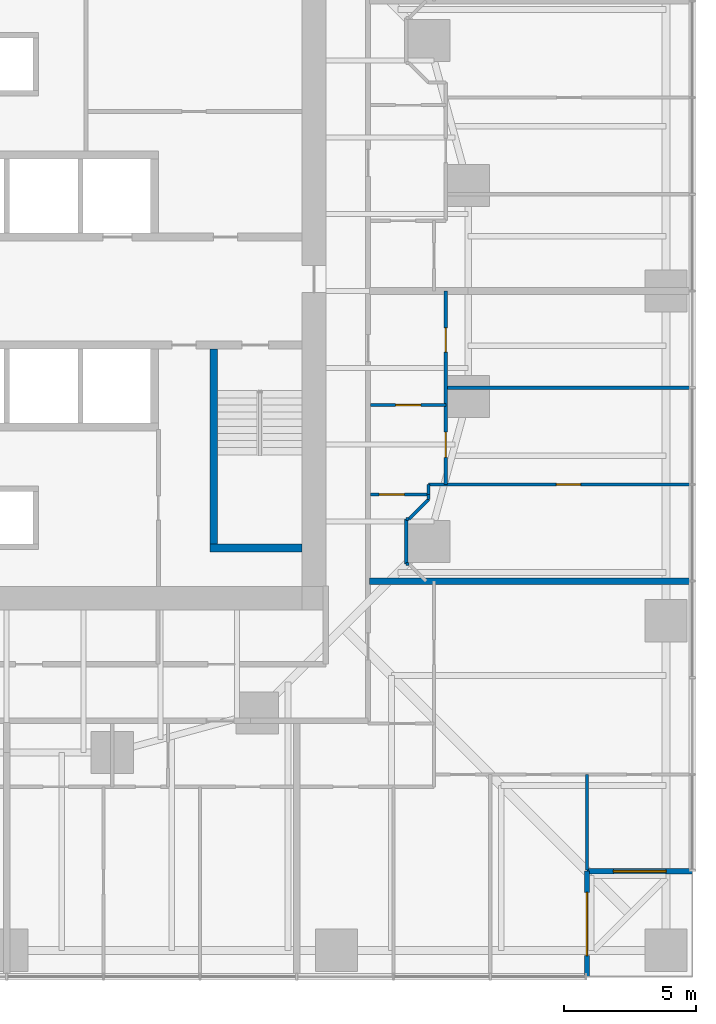
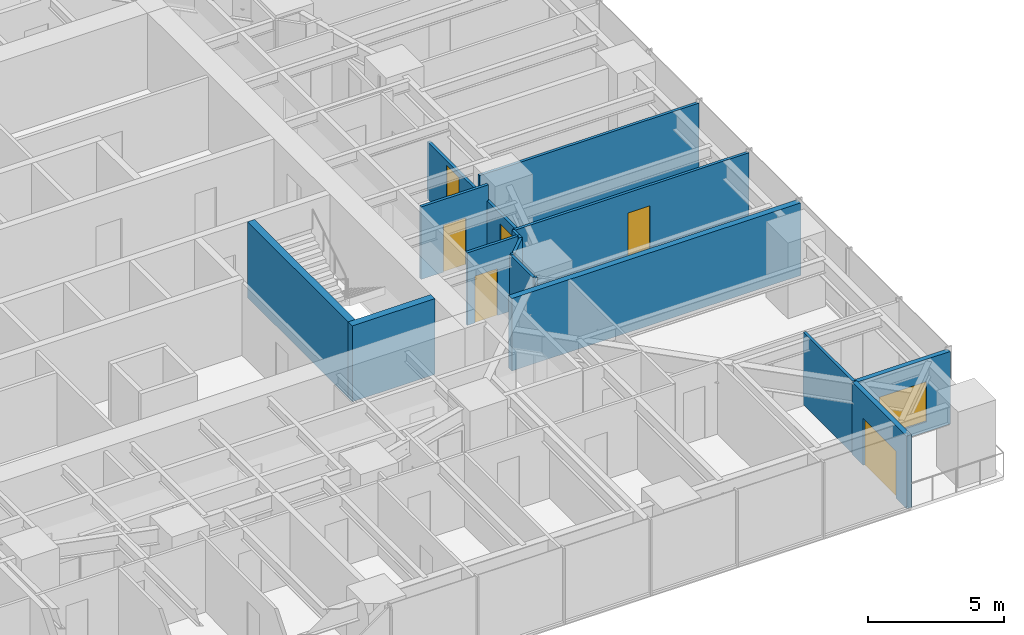
# One storey, part 12 of 18: 17 walls, 6 doors, 1 window, 7 openings.
"""IFC4 building model written with IfcOpenShell, lengths in metres."""

from ifc_helpers import new_model, si_unit, direction, frame, frame_2d, origin, place, context, subcontext, project, spatial, rectangle, extrude, material, layer, layer_set, type_object, element, fill, save


model = new_model("IFC4")

# Units and contexts
model_context = context("Model", 3, precision=1e-05, world=origin(), true_north=direction((0.0, 1.0)))
body_context = subcontext(model_context, "Body", "Model", "MODEL_VIEW")
ifc_project = project(units=[si_unit("LENGTHUNIT", "METRE"), si_unit("AREAUNIT", "SQUARE_METRE"), si_unit("VOLUMEUNIT", "CUBIC_METRE"), si_unit("PLANEANGLEUNIT", "RADIAN"), si_unit("MASSUNIT", "GRAM", prefix="KILO")], contexts=[model_context])

# Site, building, storey
site_placement = place(None, origin())
site = spatial("IfcSite", under=ifc_project, at=site_placement, CompositionType="ELEMENT")
building_placement = place(site_placement, origin())
building = spatial("IfcBuilding", under=site, at=building_placement, Name="Torsade Residences", CompositionType="ELEMENT")
storey_placement = place(building_placement, frame((0.0, 0.0, 28.60009765625)))
storey = spatial("IfcBuildingStorey", under=building, at=storey_placement, Name="L07", CompositionType="ELEMENT", Elevation=28.60009765625)

# Walls
ifc_material_1 = material(Name="Concrete 80 MPa", Category="concrete")
ifc_layer_1 = layer(ifc_material_1, 0.300048828125)
ifc_layer_set_1 = layer_set([ifc_layer_1], Name="Concrete 80 MPa")
wall_type_1 = type_object("IfcWallType", Name="CORE INTERNAL WALL 300", PredefinedType="SHEAR", material=ifc_layer_set_1)
wall_1_placement = place(storey_placement, frame((47.85009765625, 27.800048828125, 0.0), z_axis=(0.0, 0.0, 1.0), x_axis=(0.0, -1.0, 0.0)))
element("IfcWall", 1, at=wall_1_placement, inside=storey, type_object=wall_type_1, Name="Core wall ST2W L07", PredefinedType="SHEAR", context=body_context, shape_type="SweptSolid", body=[
    extrude(rectangle(XDim=7.699951171875, YDim=0.300048828125, at=frame_2d((3.85009765625, 0.0))), origin(), (0.0, 0.0, 1.0), 3.39990234375),
])
wall_2_placement = place(storey_placement, frame((51.199951171875, 20.25, 0.0), z_axis=(0.0, 0.0, 1.0), x_axis=(-1.0, 0.0, 0.0)))
element("IfcWall", 2, at=wall_2_placement, inside=storey, type_object=wall_type_1, Name="Core wall ST2S L07", PredefinedType="SHEAR", context=body_context, shape_type="SweptSolid", body=[
    extrude(rectangle(XDim=3.5, YDim=0.300048828125, at=frame_2d((1.75, 0.0))), origin(), (0.0, 0.0, 1.0), 3.39990234375),
])
ifc_material_2 = material(Name="Plasterboard on steel stud", Category="steel")
ifc_layer_2 = layer(ifc_material_2, 0.1201171875)
ifc_layer_set_2 = layer_set([ifc_layer_2], Name="Plasterboard on steel stud")
wall_type_2 = type_object("IfcWallType", Name="PARTITION 120", PredefinedType="PARTITIONING", material=ifc_layer_set_2)
wall_3_placement = place(storey_placement, frame((62.0, 11.666748046875, 0.0), z_axis=(0.0, 0.0, 1.0), x_axis=(0.0, -1.0, 0.0)))
element("IfcWall", 3, at=wall_3_placement, inside=storey, type_object=wall_type_2, Name="Partition L07", PredefinedType="PARTITIONING", context=body_context, shape_type="SweptSolid", body=[
    extrude(rectangle(XDim=3.626708984375, YDim=0.1201171875, at=frame_2d((1.8134765625, 0.0))), origin(), (0.0, 0.0, 1.0), 3.25),
])

# Wall, opening, door
wall_4_placement = place(storey_placement, frame((56.64990234375, 25.671875, 0.0), z_axis=(0.0, 0.0, 1.0), x_axis=(-1.0, 0.0, 0.0)))
wall_4 = element("IfcWall", 4, at=wall_4_placement, inside=storey, type_object=wall_type_2, Name="Partition L07", PredefinedType="PARTITIONING", context=body_context, shape_type="SweptSolid", body=[
    extrude(rectangle(XDim=2.849853515625, YDim=0.1201171875, at=frame_2d((1.4248046875, 0.0))), origin(), (0.0, 0.0, 1.0), 3.25),
])
opening_1_placement = place(wall_4_placement, frame((0.945068359375, 0.0, 0.0)))
opening_1 = element("IfcOpeningElement", 5, at=opening_1_placement, cuts=wall_4, Name="Opening D05", PredefinedType="OPENING", context=body_context, shape_type="SweptSolid", body=[
    extrude(rectangle(XDim=0.9599609375, YDim=2.10009765625, at=frame_2d((0.47998046875, 1.050048828125))), frame((0.0, 0.070068359375, 0.0), z_axis=(0.0, -1.0, 0.0), x_axis=(1.0, 0.0, 0.0)), (0.0, 0.0, 1.0), 0.14013671875),
])
ifc_material_3 = material(Name="Hollow-core timber door in a steel cavity frame", Category="steel")
door_type_1 = type_object("IfcDoorType", Name="BATHROOM CAVITY SLIDING DOOR 960", OperationType="SLIDING_TO_LEFT", PredefinedType="DOOR", material=ifc_material_3)
door_1_placement = place(opening_1_placement, origin())
door_1 = element("IfcDoor", 6, at=door_1_placement, inside=storey, type_object=door_type_1, Name="Door Kitchen and dining to Bathroom", OperationType="SLIDING_TO_LEFT", OverallHeight=2.10009765625, OverallWidth=0.9599609375, PredefinedType="DOOR", context=body_context, shape_type="SweptSolid", body=[
    extrude(rectangle(XDim=0.9599609375, YDim=2.10009765625, at=frame_2d((0.47998046875, 1.050048828125))), frame((0.0, 0.02490234375, 0.0), z_axis=(0.0, -1.0, 0.0), x_axis=(1.0, 0.0, 0.0)), (0.0, 0.0, 1.0), 0.050048828125),
])
fill(opening_1, door_1)

# Wall, openings, doors
wall_5_placement = place(storey_placement, frame((56.64990234375, 30.0, 0.0), z_axis=(0.0, 0.0, 1.0), x_axis=(0.0, -1.0, 0.0)))
wall_5 = element("IfcWall", 7, at=wall_5_placement, inside=storey, type_object=wall_type_2, Name="Partition L07", PredefinedType="PARTITIONING", context=body_context, shape_type="SweptSolid", body=[
    extrude(rectangle(XDim=7.333251953125, YDim=0.1201171875, at=frame_2d((3.66650390625, 0.0))), origin(), (0.0, 0.0, 1.0), 2.5498046875),
])
opening_2_placement = place(wall_5_placement, frame((1.3984375, 0.0, 0.0)))
opening_2 = element("IfcOpeningElement", 8, at=opening_2_placement, cuts=wall_5, Name="Opening D02", PredefinedType="OPENING", context=body_context, shape_type="SweptSolid", body=[
    extrude(rectangle(XDim=0.919921875, YDim=2.340087890625, at=frame_2d((0.4599609375, 1.169921875))), frame((0.0, 0.070068359375, 0.0), z_axis=(0.0, -1.0, 0.0), x_axis=(1.0, 0.0, 0.0)), (0.0, 0.0, 1.0), 0.14013671875),
])
opening_3_placement = place(wall_5_placement, frame((5.350830078125, 0.0, 0.0)))
opening_3 = element("IfcOpeningElement", 9, at=opening_3_placement, cuts=wall_5, Name="Opening D05", PredefinedType="OPENING", context=body_context, shape_type="SweptSolid", body=[
    extrude(rectangle(XDim=0.9599609375, YDim=2.10009765625, at=frame_2d((0.47998046875, 1.050048828125))), frame((0.0, 0.070068359375, 0.0), z_axis=(0.0, -1.0, 0.0), x_axis=(1.0, 0.0, 0.0)), (0.0, 0.0, 1.0), 0.14013671875),
])
door_2_placement = place(opening_3_placement, origin())
door_2 = element("IfcDoor", 10, at=door_2_placement, inside=storey, type_object=door_type_1, Name="Door Bathroom to Bedroom 2", OperationType="SLIDING_TO_LEFT", OverallHeight=2.10009765625, OverallWidth=0.9599609375, PredefinedType="DOOR", context=body_context, shape_type="SweptSolid", body=[
    extrude(rectangle(XDim=0.9599609375, YDim=2.10009765625, at=frame_2d((0.47998046875, 1.050048828125))), frame((0.0, 0.02490234375, 0.0), z_axis=(0.0, -1.0, 0.0), x_axis=(1.0, 0.0, 0.0)), (0.0, 0.0, 1.0), 0.050048828125),
])
fill(opening_3, door_2)
ifc_material_4 = material(Name="Hollow-core timber door", Category="wood")
door_type_2 = type_object("IfcDoorType", Name="INTERNAL DOOR 920x2340", OperationType="NOTDEFINED", PredefinedType="DOOR", material=ifc_material_4)
door_3_placement = place(opening_2_placement, origin())
door_3 = element("IfcDoor", 11, at=door_3_placement, inside=storey, type_object=door_type_2, Name="Door Kitchen and dining to Bedroom 1", OperationType="SINGLE_SWING_RIGHT", OverallHeight=2.340087890625, OverallWidth=0.919921875, PredefinedType="DOOR", context=body_context, shape_type="SweptSolid", body=[
    extrude(rectangle(XDim=0.919921875, YDim=2.340087890625, at=frame_2d((0.4599609375, 1.169921875))), frame((0.0, 0.02490234375, 0.0), z_axis=(0.0, -1.0, 0.0), x_axis=(1.0, 0.0, 0.0)), (0.0, 0.0, 1.0), 0.050048828125),
])
fill(opening_2, door_3)

# Wall, opening, door
wall_6_placement = place(storey_placement, frame((56.0, 22.278076171875, 0.0), z_axis=(0.0, 0.0, 1.0), x_axis=(-1.0, 0.0, 0.0)))
wall_6 = element("IfcWall", 12, at=wall_6_placement, inside=storey, type_object=wall_type_2, Name="Partition L07", PredefinedType="PARTITIONING", context=body_context, shape_type="SweptSolid", body=[
    extrude(rectangle(XDim=2.199951171875, YDim=0.1201171875, at=frame_2d((1.10009765625, 0.0))), origin(), (0.0, 0.0, 1.0), 3.25),
])
opening_4_placement = place(wall_6_placement, frame((0.919921875, 0.0, 0.0)))
opening_4 = element("IfcOpeningElement", 13, at=opening_4_placement, cuts=wall_6, Name="Opening D05", PredefinedType="OPENING", context=body_context, shape_type="SweptSolid", body=[
    extrude(rectangle(XDim=0.9599609375, YDim=2.10009765625, at=frame_2d((0.47998046875, 1.050048828125))), frame((0.0, 0.070068359375, 0.0), z_axis=(0.0, -1.0, 0.0), x_axis=(1.0, 0.0, 0.0)), (0.0, 0.0, 1.0), 0.14013671875),
])
door_4_placement = place(opening_4_placement, origin())
door_4 = element("IfcDoor", 14, at=door_4_placement, inside=storey, type_object=door_type_1, Name="Door Bathroom to Ensuite", OperationType="SLIDING_TO_LEFT", OverallHeight=2.10009765625, OverallWidth=0.9599609375, PredefinedType="DOOR", context=body_context, shape_type="SweptSolid", body=[
    extrude(rectangle(XDim=0.9599609375, YDim=2.10009765625, at=frame_2d((0.47998046875, 1.050048828125))), frame((0.0, 0.02490234375, 0.0), z_axis=(0.0, -1.0, 0.0), x_axis=(1.0, 0.0, 0.0)), (0.0, 0.0, 1.0), 0.050048828125),
])
fill(opening_4, door_4)

wall_7_placement = place(storey_placement, frame((65.9599609375, 22.666748046875, 0.0), z_axis=(0.0, 0.0, 1.0), x_axis=(-1.0, 0.0, 0.0)))
wall_7 = element("IfcWall", 15, at=wall_7_placement, inside=storey, type_object=wall_type_2, Name="Partition L07", PredefinedType="PARTITIONING", context=body_context, shape_type="SweptSolid", body=[
    extrude(rectangle(XDim=9.9599609375, YDim=0.1201171875, at=frame_2d((4.97998046875, 0.0))), origin(), (0.0, 0.0, 1.0), 3.25),
])
opening_5_placement = place(wall_7_placement, frame((4.199951171875, 0.0, 0.0)))
opening_5 = element("IfcOpeningElement", 16, at=opening_5_placement, cuts=wall_7, Name="Opening D02", PredefinedType="OPENING", context=body_context, shape_type="SweptSolid", body=[
    extrude(rectangle(XDim=0.919921875, YDim=2.340087890625, at=frame_2d((0.4599609375, 1.169921875))), frame((0.0, 0.070068359375, 0.0), z_axis=(0.0, -1.0, 0.0), x_axis=(1.0, 0.0, 0.0)), (0.0, 0.0, 1.0), 0.14013671875),
])
door_5_placement = place(opening_5_placement, origin())
door_5 = element("IfcDoor", 17, at=door_5_placement, inside=storey, type_object=door_type_2, Name="Door Bedroom 2 to Living room", OperationType="SINGLE_SWING_RIGHT", OverallHeight=2.340087890625, OverallWidth=0.919921875, PredefinedType="DOOR", context=body_context, shape_type="SweptSolid", body=[
    extrude(rectangle(XDim=0.919921875, YDim=2.340087890625, at=frame_2d((0.4599609375, 1.169921875))), frame((0.0, 0.02490234375, 0.0), z_axis=(0.0, -1.0, 0.0), x_axis=(1.0, 0.0, 0.0)), (0.0, 0.0, 1.0), 0.050048828125),
])
fill(opening_5, door_5)

# Walls
wall_8_placement = place(storey_placement, frame((56.0, 22.666748046875, 0.0), z_axis=(0.0, 0.0, 1.0), x_axis=(0.0, -1.0, 0.0)))
element("IfcWall", 18, at=wall_8_placement, inside=storey, type_object=wall_type_2, Name="Partition L07", PredefinedType="PARTITIONING", context=body_context, shape_type="SweptSolid", body=[
    extrude(rectangle(XDim=0.388671875, YDim=0.1201171875, at=frame_2d((0.1943359375, 0.0))), origin(), (0.0, 0.0, 1.0), 3.25),
])
wall_9_placement = place(storey_placement, frame((56.0, 22.10009765625, 0.0), z_axis=(0.0, 0.0, 1.0), x_axis=(-0.707106781187, -0.707106781187, 0.0)))
element("IfcWall", 19, at=wall_9_placement, inside=storey, type_object=wall_type_2, Name="Partition L07", PredefinedType="PARTITIONING", context=body_context, shape_type="SweptSolid", body=[
    extrude(rectangle(XDim=1.060546875, YDim=0.1201171875, at=frame_2d((0.5302734375, 0.0))), origin(), (0.0, 0.0, 1.0), 3.25),
])
wall_10_placement = place(storey_placement, frame((55.14990234375, 21.35009765625, 0.0), z_axis=(0.0, 0.0, 1.0), x_axis=(0.0, -1.0, 0.0)))
element("IfcWall", 20, at=wall_10_placement, inside=storey, type_object=wall_type_2, Name="Partition L07", PredefinedType="PARTITIONING", context=body_context, shape_type="SweptSolid", body=[
    extrude(rectangle(XDim=1.7001953125, YDim=0.1201171875, at=frame_2d((0.85009765625, 0.0))), origin(), (0.0, 0.0, 1.0), 3.25),
])
wall_11_placement = place(storey_placement, frame((65.9599609375, 26.333251953125, 0.0), z_axis=(0.0, 0.0, 1.0), x_axis=(-1.0, 0.0, 0.0)))
element("IfcWall", 21, at=wall_11_placement, inside=storey, type_object=wall_type_2, Name="Partition L07", PredefinedType="PARTITIONING", context=body_context, shape_type="SweptSolid", body=[
    extrude(rectangle(XDim=9.31005859375, YDim=0.1201171875, at=frame_2d((4.655029296875, 0.0))), origin(), (0.0, 0.0, 1.0), 3.25),
])
wall_12_placement = place(storey_placement, frame((56.0, 22.10009765625, 0.0), z_axis=(0.0, 0.0, 1.0), x_axis=(0.0, 1.0, 0.0)))
element("IfcWall", 22, at=wall_12_placement, inside=storey, type_object=wall_type_2, Name="Partition L07", PredefinedType="PARTITIONING", context=body_context, shape_type="SweptSolid", body=[
    extrude(rectangle(XDim=0.177978515625, YDim=0.1201171875, at=frame_2d((0.0888671875, 0.0))), origin(), (0.0, 0.0, 1.0), 3.25),
])
for number, where, z_axis, x_axis, name in (
    (23, (55.14990234375, 21.35009765625, 0.0), (0.0, 0.0, 1.0), (1.0, 0.0, 0.0), "Partition L07"),
    (24, (55.14990234375, 19.64990234375, 0.0), (0.0, 0.0, 1.0), (1.0, 0.0, 0.0), "Partition L07"),
):
    element("IfcWall", number, at=place(storey_placement, frame(where, z_axis=z_axis, x_axis=x_axis)), inside=storey, type_object=wall_type_2, Name=name, PredefinedType="PARTITIONING", context=body_context, shape_type="SweptSolid", body=[
        extrude(rectangle(XDim=0.10009765625, YDim=0.1201171875, at=frame_2d((0.050048828125, 0.0))), origin(), (0.0, 0.0, 1.0), 3.25),
    ])
ifc_material_5 = material(Name="Masonry-lined stud party wall", Category="masonry")
ifc_layer_3 = layer(ifc_material_5, 0.25)
ifc_layer_set_3 = layer_set([ifc_layer_3], Name="Masonry-lined stud party wall")
wall_type_3 = type_object("IfcWallType", Name="PARTY WALL 250", PredefinedType="PARTITIONING", material=ifc_layer_set_3)
wall_13_placement = place(storey_placement, frame((66.0, 19.0, 0.0), z_axis=(0.0, 0.0, 1.0), x_axis=(-1.0, 0.0, 0.0)))
element("IfcWall", 25, at=wall_13_placement, inside=storey, type_object=wall_type_3, Name="Party wall L07", PredefinedType="PARTITIONING", context=body_context, shape_type="SweptSolid", body=[
    extrude(rectangle(XDim=12.239990234375, YDim=0.25, at=frame_2d((6.1201171875, 0.0))), origin(), (0.0, 0.0, 1.0), 3.25),
])

# Wall, opening, door
ifc_material_6 = material(Name="Stone-faced precast concrete 40 MPa panel", Category="masonry")
ifc_layer_4 = layer(ifc_material_6, 0.199951171875)
ifc_layer_set_4 = layer_set([ifc_layer_4], Name="Stone-faced precast concrete 40 MPa panel")
wall_type_4 = type_object("IfcWallType", Name="TERRACE WALL 200", PredefinedType="SOLIDWALL", material=ifc_layer_set_4)
wall_14_placement = place(storey_placement, frame((62.0, 4.0, 0.0), z_axis=(0.0, 0.0, 1.0), x_axis=(0.0, 1.0, 0.0)))
wall_14 = element("IfcWall", 26, at=wall_14_placement, inside=storey, type_object=wall_type_4, Name="Terrace wall L07 2", PredefinedType="SOLIDWALL", context=body_context, shape_type="SweptSolid", body=[
    extrude(rectangle(XDim=4.0, YDim=0.199951171875, at=frame_2d((2.0, 0.0))), origin(), (0.0, 0.0, 1.0), 3.25),
])
opening_6_placement = place(wall_14_placement, frame((0.800048828125, 0.0, 0.0)))
opening_6 = element("IfcOpeningElement", 27, at=opening_6_placement, cuts=wall_14, Name="Opening D10A", PredefinedType="OPENING", context=body_context, shape_type="SweptSolid", body=[
    extrude(rectangle(XDim=2.39990234375, YDim=2.10009765625, at=frame_2d((1.199951171875, 1.050048828125))), frame((0.0, 0.10986328125, 0.0), z_axis=(0.0, -1.0, 0.0), x_axis=(1.0, 0.0, 0.0)), (0.0, 0.0, 1.0), 0.219970703125),
])
ifc_material_7 = material(Name="Aluminium-framed glass door", Category="aluminium")
door_type_3 = type_object("IfcDoorType", Name="TERRACE SLIDING DOOR 2400x2100", OperationType="SLIDING_TO_LEFT", PredefinedType="DOOR", material=ifc_material_7)
door_6_placement = place(opening_6_placement, origin())
door_6 = element("IfcDoor", 28, at=door_6_placement, inside=storey, type_object=door_type_3, Name="Terrace door L07 2", OperationType="SLIDING_TO_LEFT", OverallHeight=2.10009765625, OverallWidth=2.39990234375, PredefinedType="DOOR", context=body_context, shape_type="SweptSolid", body=[
    extrude(rectangle(XDim=2.39990234375, YDim=2.10009765625, at=frame_2d((1.199951171875, 1.050048828125))), frame((0.0, 0.02490234375, 0.0), z_axis=(0.0, -1.0, 0.0), x_axis=(1.0, 0.0, 0.0)), (0.0, 0.0, 1.0), 0.050048828125),
])
fill(opening_6, door_6)

# Wall, opening, window
wall_15_placement = place(storey_placement, frame((62.0, 8.0, 0.0), z_axis=(0.0, 0.0, 1.0), x_axis=(1.0, 0.0, 0.0)))
wall_15 = element("IfcWall", 29, at=wall_15_placement, inside=storey, type_object=wall_type_4, Name="Terrace wall L07 3", PredefinedType="SOLIDWALL", context=body_context, shape_type="SweptSolid", body=[
    extrude(rectangle(XDim=4.0, YDim=0.199951171875, at=frame_2d((2.0, 0.0))), origin(), (0.0, 0.0, 1.0), 3.25),
])
opening_7_placement = place(wall_15_placement, frame((1.0, 0.0, 0.449951171875)))
opening_7 = element("IfcOpeningElement", 30, at=opening_7_placement, cuts=wall_15, Name="Opening W1B", PredefinedType="OPENING", context=body_context, shape_type="SweptSolid", body=[
    extrude(rectangle(XDim=2.0, YDim=1.800048828125, at=frame_2d((1.0, 0.89990234375))), frame((0.0, 0.10986328125, 0.0), z_axis=(0.0, -1.0, 0.0), x_axis=(1.0, 0.0, 0.0)), (0.0, 0.0, 1.0), 0.219970703125),
])
ifc_material_8 = material(Name="Aluminium-framed glass window", Category="aluminium")
window_type = type_object("IfcWindowType", Name="TERRACE WINDOW 2000x1800", PartitioningType="SINGLE_PANEL", PredefinedType="WINDOW", material=ifc_material_8)
window_placement = place(opening_7_placement, origin())
window = element("IfcWindow", 31, at=window_placement, inside=storey, type_object=window_type, Name="Terrace window L07 3", OverallHeight=1.800048828125, OverallWidth=2.0, PartitioningType="SINGLE_PANEL", PredefinedType="WINDOW", context=body_context, shape_type="SweptSolid", body=[
    extrude(rectangle(XDim=2.0, YDim=1.800048828125, at=frame_2d((1.0, 0.89990234375))), frame((0.0, 0.030029296875, 0.0), z_axis=(0.0, -1.0, 0.0), x_axis=(1.0, 0.0, 0.0)), (0.0, 0.0, 1.0), 0.06005859375),
])
fill(opening_7, window)

save(model, "model.ifc")
